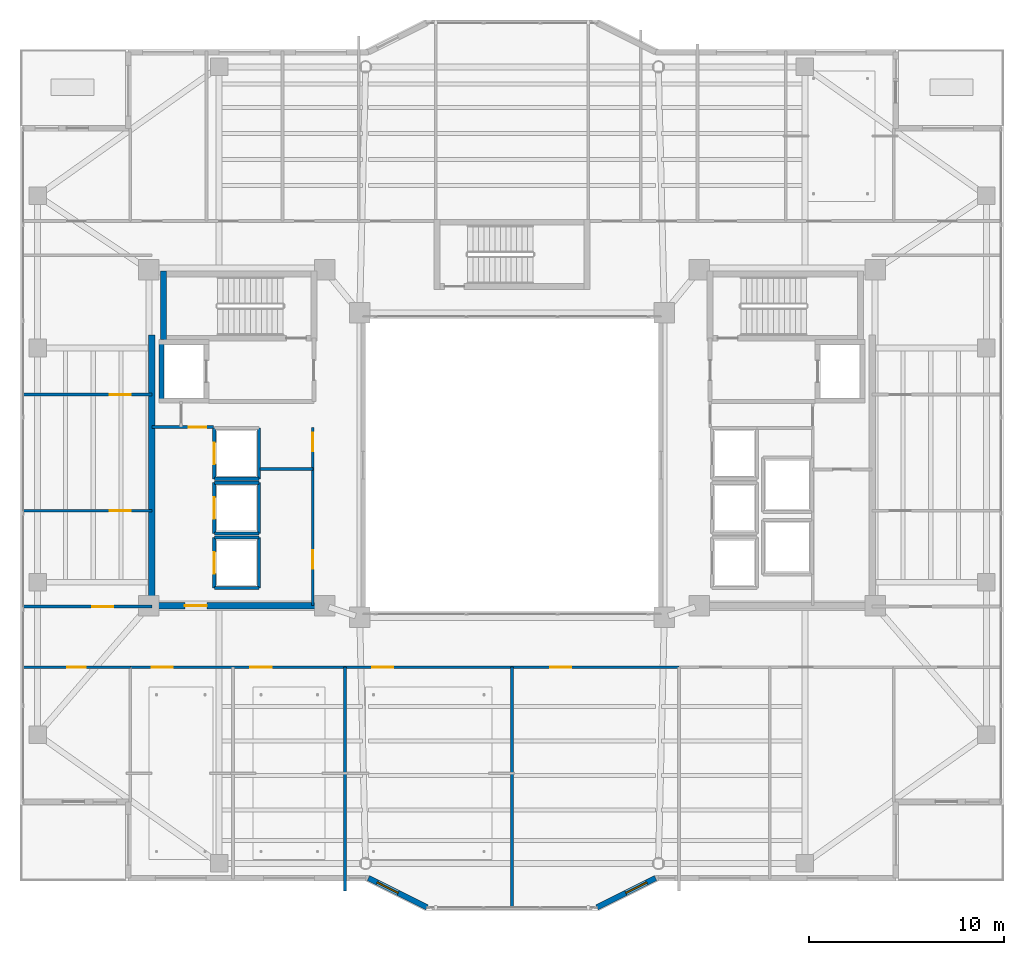
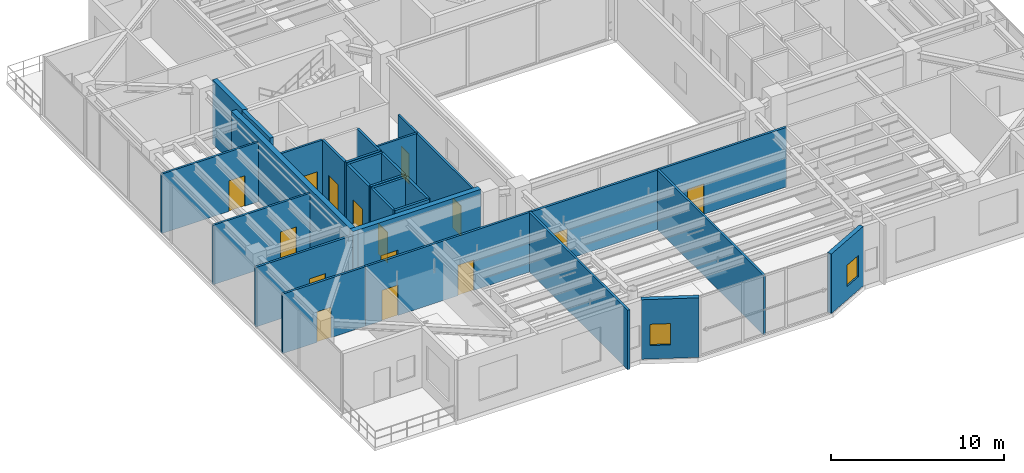
# One storey, part 23 of 33: 28 walls, 15 doors, 2 windows, 17 openings.
"""IFC4 building model written with IfcOpenShell, lengths in metres."""

from ifc_helpers import new_model, si_unit, direction, frame, frame_2d, origin, place, context, subcontext, project, spatial, rectangle, extrude, material, layer, layer_set, type_object, element, fill, save


model = new_model("IFC4")

# Units and contexts
model_context = context("Model", 3, precision=1e-05, world=origin(), true_north=direction((0.0, 1.0)))
body_context = subcontext(model_context, "Body", "Model", "MODEL_VIEW")
ifc_project = project(units=[si_unit("LENGTHUNIT", "METRE"), si_unit("AREAUNIT", "SQUARE_METRE"), si_unit("VOLUMEUNIT", "CUBIC_METRE"), si_unit("PLANEANGLEUNIT", "RADIAN"), si_unit("MASSUNIT", "GRAM", prefix="KILO")], contexts=[model_context])

# Site, building, storey
site_placement = place(None, origin())
site = spatial("IfcSite", under=ifc_project, at=site_placement, CompositionType="ELEMENT")
building_placement = place(site_placement, origin())
building = spatial("IfcBuilding", under=site, at=building_placement, Name="Tarnavaz Court Tower", CompositionType="ELEMENT")
storey_placement = place(building_placement, frame((0.0, 0.0, 177.300048828125)))
storey = spatial("IfcBuildingStorey", under=building, at=storey_placement, Name="L48", CompositionType="ELEMENT", Elevation=177.300048828125)

# Walls
ifc_material_1 = material(Name="Concrete C50/60", Category="concrete")
ifc_layer_1 = layer(ifc_material_1, 0.25)
ifc_layer_set_1 = layer_set([ifc_layer_1], Name="Concrete C50/60")
wall_type_1 = type_object("IfcWallType", Name="WL-CORE-250-C50", PredefinedType="SHEAR", material=ifc_layer_set_1)
wall_1_placement = place(storey_placement, frame((-17.949951171875, 3.175048828125, 0.0), z_axis=(0.0, 0.0, 1.0), x_axis=(0.0, 1.0, 0.0)))
element("IfcWall", 1, at=wall_1_placement, inside=storey, type_object=wall_type_1, Name="L48 Lift FL-W1 Shaft Wall 017", PredefinedType="SHEAR", context=body_context, shape_type="SweptSolid", body=[
    extrude(rectangle(XDim=3.25, YDim=0.25, at=frame_2d((1.625, 0.0))), origin(), (0.0, 0.0, 1.0), 4.5),
])
ifc_layer_2 = layer(ifc_material_1, 0.300048828125)
ifc_layer_set_2 = layer_set([ifc_layer_2], Name="Concrete C50/60")
wall_type_2 = type_object("IfcWallType", Name="WL-CORE-300-C50", PredefinedType="SHEAR", material=ifc_layer_set_2)
wall_2_placement = place(storey_placement, frame((-17.85009765625, 6.35009765625, 0.0), z_axis=(0.0, 0.0, 1.0), x_axis=(0.0, 1.0, 0.0)))
element("IfcWall", 2, at=wall_2_placement, inside=storey, type_object=wall_type_2, Name="L48 West Stair Core Wall 003", PredefinedType="SHEAR", context=body_context, shape_type="SweptSolid", body=[
    extrude(rectangle(XDim=3.58984375, YDim=0.300048828125, at=frame_2d((1.794921875, 0.0))), origin(), (0.0, 0.0, 1.0), 4.5),
])
ifc_layer_3 = layer(ifc_material_1, 0.35009765625)
ifc_layer_set_3 = layer_set([ifc_layer_3], Name="Concrete C50/60")
wall_type_3 = type_object("IfcWallType", Name="WL-CORE-350-C50", PredefinedType="SHEAR", material=ifc_layer_set_3)
wall_3_placement = place(storey_placement, frame((-18.449951171875, -7.375, 0.0), z_axis=(0.0, 0.0, 1.0), x_axis=(0.0, 1.0, 0.0)))
element("IfcWall", 3, at=wall_3_placement, inside=storey, type_object=wall_type_3, Name="L48 West Core Shear Wall 057", PredefinedType="SHEAR", context=body_context, shape_type="SweptSolid", body=[
    extrude(rectangle(XDim=14.050048828125, YDim=0.35009765625, at=frame_2d((7.02490234375, 0.0))), origin(), (0.0, 0.0, 1.0), 4.5),
])

# Wall, opening, door
wall_4_placement = place(storey_placement, frame((-18.625, -7.199951171875, 0.0), z_axis=(0.0, 0.0, 1.0), x_axis=(1.0, 0.0, 0.0)))
wall_4 = element("IfcWall", 4, at=wall_4_placement, inside=storey, type_object=wall_type_3, Name="L48 West Core South Shear Wall 058", PredefinedType="SHEAR", context=body_context, shape_type="SweptSolid", body=[
    extrude(rectangle(XDim=8.550048828125, YDim=0.35009765625, at=frame_2d((4.27490234375, 0.0))), origin(), (0.0, 0.0, 1.0), 4.5),
])
opening_1_placement = place(wall_4_placement, frame((1.875, 0.0, 0.0)))
opening_1 = element("IfcOpeningElement", 5, at=opening_1_placement, cuts=wall_4, Name="Opening D04", PredefinedType="OPENING", context=body_context, shape_type="SweptSolid", body=[
    extrude(rectangle(XDim=1.1201171875, YDim=2.14990234375, at=frame_2d((0.56005859375, 1.074951171875))), frame((0.0, 0.18505859375, 0.0), z_axis=(0.0, -1.0, 0.0), x_axis=(1.0, 0.0, 0.0)), (0.0, 0.0, 1.0), 0.3701171875),
])
ifc_material_2 = material(Name="Fire-Rated Hardwood Timber Core", Category="wood")
door_type_1 = type_object("IfcDoorType", Name="DR-FD60-1100", OperationType="NOTDEFINED", PredefinedType="DOOR", material=ifc_material_2)
door_1_placement = place(opening_1_placement, origin())
door_1 = element("IfcDoor", 6, at=door_1_placement, inside=storey, type_object=door_type_1, Name="L48 West High-Rise Lift Lobby Door", OperationType="SINGLE_SWING_RIGHT", OverallHeight=2.14990234375, OverallWidth=1.1201171875, PredefinedType="DOOR", context=body_context, shape_type="SweptSolid", body=[
    extrude(rectangle(XDim=1.1201171875, YDim=2.14990234375, at=frame_2d((0.56005859375, 1.074951171875))), frame((0.0, 0.02490234375, 0.0), z_axis=(0.0, -1.0, 0.0), x_axis=(1.0, 0.0, 0.0)), (0.0, 0.0, 1.0), 0.050048828125),
])
fill(opening_1, door_1)

# Wall, opening, window
ifc_material_3 = material(Name="Precast Concrete C40/50", Category="concrete")
ifc_layer_4 = layer(ifc_material_3, 0.280029296875)
ifc_layer_set_4 = layer_set([ifc_layer_4], Name="Precast Concrete C40/50")
wall_type_4 = type_object("IfcWallType", Name="WL-EXT-280", PredefinedType="SOLIDWALL", material=ifc_layer_set_4)
wall_5_placement = place(storey_placement, frame((7.35009765625, -21.14990234375, 0.0), z_axis=(0.0, 0.0, 1.0), x_axis=(-0.894427191, -0.4472135955, 0.0)))
wall_5 = element("IfcWall", 7, at=wall_5_placement, inside=storey, type_object=wall_type_4, Name="L48 Exterior Terracotta Facade Wall 16", PredefinedType="SOLIDWALL", context=body_context, shape_type="SweptSolid", body=[
    extrude(rectangle(XDim=3.35400390625, YDim=0.280029296875, at=frame_2d((1.677001953125, 0.0))), origin(), (0.0, 0.0, 1.0), 4.199951171875),
])
opening_2_placement = place(wall_5_placement, frame((0.501220703125, 0.0, 0.949951171875)))
opening_2 = element("IfcOpeningElement", 8, at=opening_2_placement, cuts=wall_5, Name="Opening W05", PredefinedType="OPENING", context=body_context, shape_type="SweptSolid", body=[
    extrude(rectangle(XDim=1.199951171875, YDim=1.5, at=frame_2d((0.60009765625, 0.75))), frame((0.0, 0.14990234375, 0.0), z_axis=(0.0, -1.0, 0.0), x_axis=(1.0, 0.0, 0.0)), (0.0, 0.0, 1.0), 0.300048828125),
])
ifc_material_4 = material(Name="Double-Glazed Solar Low-E Glass", Category="glass")
window_type = type_object("IfcWindowType", Name="WN-APT-1200", PartitioningType="SINGLE_PANEL", PredefinedType="WINDOW", material=ifc_material_4)
window_1_placement = place(opening_2_placement, origin())
window_1 = element("IfcWindow", 9, at=window_1_placement, inside=storey, type_object=window_type, Name="L48 L48 South-East Music and Arts Studio Window", OverallHeight=1.5, OverallWidth=1.199951171875, PartitioningType="SINGLE_PANEL", PredefinedType="WINDOW", context=body_context, shape_type="SweptSolid", body=[
    extrude(rectangle(XDim=1.199951171875, YDim=1.5, at=frame_2d((0.60009765625, 0.75))), frame((0.0, 0.030029296875, 0.0), z_axis=(0.0, -1.0, 0.0), x_axis=(1.0, 0.0, 0.0)), (0.0, 0.0, 1.0), 0.06005859375),
])
fill(opening_2, window_1)

wall_6_placement = place(storey_placement, frame((-4.35009765625, -22.64990234375, 0.0), z_axis=(0.0, 0.0, 1.0), x_axis=(-0.894427191, 0.4472135955, 0.0)))
wall_6 = element("IfcWall", 10, at=wall_6_placement, inside=storey, type_object=wall_type_4, Name="L48 Exterior Terracotta Facade Wall 18", PredefinedType="SOLIDWALL", context=body_context, shape_type="SweptSolid", body=[
    extrude(rectangle(XDim=3.35400390625, YDim=0.280029296875, at=frame_2d((1.677001953125, 0.0))), origin(), (0.0, 0.0, 1.0), 4.199951171875),
])
opening_3_placement = place(wall_6_placement, frame((1.65283203125, 0.0, 0.949951171875)))
opening_3 = element("IfcOpeningElement", 11, at=opening_3_placement, cuts=wall_6, Name="Opening W05", PredefinedType="OPENING", context=body_context, shape_type="SweptSolid", body=[
    extrude(rectangle(XDim=1.199951171875, YDim=1.5, at=frame_2d((0.60009765625, 0.75))), frame((0.0, 0.14990234375, 0.0), z_axis=(0.0, -1.0, 0.0), x_axis=(1.0, 0.0, 0.0)), (0.0, 0.0, 1.0), 0.300048828125),
])
window_2_placement = place(opening_3_placement, origin())
window_2 = element("IfcWindow", 12, at=window_2_placement, inside=storey, type_object=window_type, Name="L48 L48 South-West Cultural Classroom Window", OverallHeight=1.5, OverallWidth=1.199951171875, PartitioningType="SINGLE_PANEL", PredefinedType="WINDOW", context=body_context, shape_type="SweptSolid", body=[
    extrude(rectangle(XDim=1.199951171875, YDim=1.5, at=frame_2d((0.60009765625, 0.75))), frame((0.0, 0.030029296875, 0.0), z_axis=(0.0, -1.0, 0.0), x_axis=(1.0, 0.0, 0.0)), (0.0, 0.0, 1.0), 0.06005859375),
])
fill(opening_3, window_2)

# Wall, openings, doors
ifc_material_5 = material(Name="Gypsum Fire-Board on Acoustic Metal Stud", Category="masonry")
ifc_layer_5 = layer(ifc_material_5, 0.14990234375)
ifc_layer_set_5 = layer_set([ifc_layer_5], Name="Gypsum Fire-Board on Acoustic Metal Stud")
wall_type_5 = type_object("IfcWallType", Name="WL-FIRE-150", PredefinedType="PARTITIONING", material=ifc_layer_set_5)
wall_7_placement = place(storey_placement, frame((-19.550048828125, -10.35009765625, 0.0), z_axis=(0.0, 0.0, 1.0), x_axis=(1.0, 0.0, 0.0)))
wall_7 = element("IfcWall", 13, at=wall_7_placement, inside=storey, type_object=wall_type_5, Name="L48 SW Horseshoe Wall 071", PredefinedType="PARTITIONING", context=body_context, shape_type="SweptSolid", body=[
    extrude(rectangle(XDim=11.0, YDim=0.14990234375, at=frame_2d((5.5, 0.0))), origin(), (0.0, 0.0, 1.0), 4.199951171875),
])
opening_4_placement = place(wall_7_placement, frame((1.10009765625, 0.0, 0.0)))
opening_4 = element("IfcOpeningElement", 14, at=opening_4_placement, cuts=wall_7, Name="Opening D12", PredefinedType="OPENING", context=body_context, shape_type="SweptSolid", body=[
    extrude(rectangle(XDim=1.080078125, YDim=2.14990234375, at=frame_2d((0.5400390625, 1.074951171875))), frame((0.0, 0.0849609375, 0.0), z_axis=(0.0, -1.0, 0.0), x_axis=(1.0, 0.0, 0.0)), (0.0, 0.0, 1.0), 0.169921875),
])
opening_5_placement = place(wall_7_placement, frame((6.156005859375, 0.0, 0.0)))
opening_5 = element("IfcOpeningElement", 15, at=opening_5_placement, cuts=wall_7, Name="Opening D12", PredefinedType="OPENING", context=body_context, shape_type="SweptSolid", body=[
    extrude(rectangle(XDim=1.080078125, YDim=2.14990234375, at=frame_2d((0.5400390625, 1.074951171875))), frame((0.0, 0.0849609375, 0.0), z_axis=(0.0, -1.0, 0.0), x_axis=(1.0, 0.0, 0.0)), (0.0, 0.0, 1.0), 0.169921875),
])
ifc_material_6 = material(Name="Engineered Oak Timber", Category="wood")
door_type_2 = type_object("IfcDoorType", Name="DR-INT-1100", OperationType="NOTDEFINED", PredefinedType="DOOR", material=ifc_material_6)
door_2_placement = place(opening_4_placement, origin())
door_2 = element("IfcDoor", 16, at=door_2_placement, inside=storey, type_object=door_type_2, Name="L48 Children Playroom Studio Door", OperationType="SINGLE_SWING_RIGHT", OverallHeight=2.14990234375, OverallWidth=1.080078125, PredefinedType="DOOR", context=body_context, shape_type="SweptSolid", body=[
    extrude(rectangle(XDim=1.080078125, YDim=2.14990234375, at=frame_2d((0.5400390625, 1.074951171875))), frame((0.0, 0.02490234375, 0.0), z_axis=(0.0, -1.0, 0.0), x_axis=(1.0, 0.0, 0.0)), (0.0, 0.0, 1.0), 0.050048828125),
])
fill(opening_4, door_2)
door_3_placement = place(opening_5_placement, origin())
door_3 = element("IfcDoor", 17, at=door_3_placement, inside=storey, type_object=door_type_2, Name="L48 SW Study Room Door", OperationType="SINGLE_SWING_LEFT", OverallHeight=2.14990234375, OverallWidth=1.080078125, PredefinedType="DOOR", context=body_context, shape_type="SweptSolid", body=[
    extrude(rectangle(XDim=1.080078125, YDim=2.14990234375, at=frame_2d((0.5400390625, 1.074951171875))), frame((0.0, 0.02490234375, 0.0), z_axis=(0.0, -1.0, 0.0), x_axis=(1.0, 0.0, 0.0)), (0.0, 0.0, 1.0), 0.050048828125),
])
fill(opening_5, door_3)

wall_8_placement = place(storey_placement, frame((-8.550048828125, -10.35009765625, 0.0), z_axis=(0.0, 0.0, 1.0), x_axis=(1.0, 0.0, 0.0)))
wall_8 = element("IfcWall", 18, at=wall_8_placement, inside=storey, type_object=wall_type_5, Name="L48 Interior Partition 085", PredefinedType="PARTITIONING", context=body_context, shape_type="SweptSolid", body=[
    extrude(rectangle(XDim=17.10009765625, YDim=0.14990234375, at=frame_2d((8.550048828125, 0.0))), origin(), (0.0, 0.0, 1.0), 4.199951171875),
])
opening_6_placement = place(wall_8_placement, frame((1.39990234375, 0.0, 0.0)))
opening_6 = element("IfcOpeningElement", 19, at=opening_6_placement, cuts=wall_8, Name="Opening D12", PredefinedType="OPENING", context=body_context, shape_type="SweptSolid", body=[
    extrude(rectangle(XDim=1.080078125, YDim=2.14990234375, at=frame_2d((0.5400390625, 1.074951171875))), frame((0.0, 0.0849609375, 0.0), z_axis=(0.0, -1.0, 0.0), x_axis=(1.0, 0.0, 0.0)), (0.0, 0.0, 1.0), 0.169921875),
])
opening_7_placement = place(wall_8_placement, frame((10.5, 0.0, 0.0)))
opening_7 = element("IfcOpeningElement", 20, at=opening_7_placement, cuts=wall_8, Name="Opening D12", PredefinedType="OPENING", context=body_context, shape_type="SweptSolid", body=[
    extrude(rectangle(XDim=1.080078125, YDim=2.14990234375, at=frame_2d((0.5400390625, 1.074951171875))), frame((0.0, 0.0849609375, 0.0), z_axis=(0.0, -1.0, 0.0), x_axis=(1.0, 0.0, 0.0)), (0.0, 0.0, 1.0), 0.169921875),
])
door_4_placement = place(opening_6_placement, origin())
door_4 = element("IfcDoor", 21, at=door_4_placement, inside=storey, type_object=door_type_2, Name="L48 Cultural Classroom Door", OperationType="SINGLE_SWING_RIGHT", OverallHeight=2.14990234375, OverallWidth=1.080078125, PredefinedType="DOOR", context=body_context, shape_type="SweptSolid", body=[
    extrude(rectangle(XDim=1.080078125, YDim=2.14990234375, at=frame_2d((0.5400390625, 1.074951171875))), frame((0.0, 0.02490234375, 0.0), z_axis=(0.0, -1.0, 0.0), x_axis=(1.0, 0.0, 0.0)), (0.0, 0.0, 1.0), 0.050048828125),
])
fill(opening_6, door_4)
door_5_placement = place(opening_7_placement, origin())
door_5 = element("IfcDoor", 22, at=door_5_placement, inside=storey, type_object=door_type_2, Name="L48 Arts Studio Door", OperationType="SINGLE_SWING_LEFT", OverallHeight=2.14990234375, OverallWidth=1.080078125, PredefinedType="DOOR", context=body_context, shape_type="SweptSolid", body=[
    extrude(rectangle(XDim=1.080078125, YDim=2.14990234375, at=frame_2d((0.5400390625, 1.074951171875))), frame((0.0, 0.02490234375, 0.0), z_axis=(0.0, -1.0, 0.0), x_axis=(1.0, 0.0, 0.0)), (0.0, 0.0, 1.0), 0.050048828125),
])
fill(opening_7, door_5)

# Wall, opening, door
wall_9_placement = place(storey_placement, frame((-25.080078125, -7.25, 0.0), z_axis=(0.0, 0.0, 1.0), x_axis=(1.0, 0.0, 0.0)))
wall_9 = element("IfcWall", 23, at=wall_9_placement, inside=storey, type_object=wall_type_5, Name="L48 Interior Partition 087", PredefinedType="PARTITIONING", context=body_context, shape_type="SweptSolid", body=[
    extrude(rectangle(XDim=6.630126953125, YDim=0.14990234375, at=frame_2d((3.31494140625, 0.0))), origin(), (0.0, 0.0, 1.0), 4.199951171875),
])
opening_8_placement = place(wall_9_placement, frame((3.580078125, 0.0, 0.0)))
opening_8 = element("IfcOpeningElement", 24, at=opening_8_placement, cuts=wall_9, Name="Opening D12", PredefinedType="OPENING", context=body_context, shape_type="SweptSolid", body=[
    extrude(rectangle(XDim=1.080078125, YDim=2.14990234375, at=frame_2d((0.5400390625, 1.074951171875))), frame((0.0, 0.0849609375, 0.0), z_axis=(0.0, -1.0, 0.0), x_axis=(1.0, 0.0, 0.0)), (0.0, 0.0, 1.0), 0.169921875),
])
door_6_placement = place(opening_8_placement, origin())
door_6 = element("IfcDoor", 25, at=door_6_placement, inside=storey, type_object=door_type_2, Name="L48 West Suite Room 1 Door", OperationType="SINGLE_SWING_RIGHT", OverallHeight=2.14990234375, OverallWidth=1.080078125, PredefinedType="DOOR", context=body_context, shape_type="SweptSolid", body=[
    extrude(rectangle(XDim=1.080078125, YDim=2.14990234375, at=frame_2d((0.5400390625, 1.074951171875))), frame((0.0, 0.02490234375, 0.0), z_axis=(0.0, -1.0, 0.0), x_axis=(1.0, 0.0, 0.0)), (0.0, 0.0, 1.0), 0.050048828125),
])
fill(opening_8, door_6)

wall_10_placement = place(storey_placement, frame((-25.080078125, -10.35009765625, 0.0), z_axis=(0.0, 0.0, 1.0), x_axis=(1.0, 0.0, 0.0)))
wall_10 = element("IfcWall", 26, at=wall_10_placement, inside=storey, type_object=wall_type_5, Name="L48 Interior Partition 097", PredefinedType="PARTITIONING", context=body_context, shape_type="SweptSolid", body=[
    extrude(rectangle(XDim=5.530029296875, YDim=0.14990234375, at=frame_2d((2.76513671875, 0.0))), origin(), (0.0, 0.0, 1.0), 4.199951171875),
])
opening_9_placement = place(wall_10_placement, frame((2.2900390625, 0.0, 0.0)))
opening_9 = element("IfcOpeningElement", 27, at=opening_9_placement, cuts=wall_10, Name="Opening D13", PredefinedType="OPENING", context=body_context, shape_type="SweptSolid", body=[
    extrude(rectangle(XDim=0.949951171875, YDim=2.14990234375, at=frame_2d((0.47509765625, 1.074951171875))), frame((0.0, 0.0849609375, 0.0), z_axis=(0.0, -1.0, 0.0), x_axis=(1.0, 0.0, 0.0)), (0.0, 0.0, 1.0), 0.169921875),
])
door_type_3 = type_object("IfcDoorType", Name="DR-INT-950", OperationType="NOTDEFINED", PredefinedType="DOOR", material=ifc_material_6)
door_7_placement = place(opening_9_placement, origin())
door_7 = element("IfcDoor", 28, at=door_7_placement, inside=storey, type_object=door_type_3, Name="L48 SW Terrace Salon Door", OperationType="SINGLE_SWING_RIGHT", OverallHeight=2.14990234375, OverallWidth=0.949951171875, PredefinedType="DOOR", context=body_context, shape_type="SweptSolid", body=[
    extrude(rectangle(XDim=0.949951171875, YDim=2.14990234375, at=frame_2d((0.47509765625, 1.074951171875))), frame((0.0, 0.02490234375, 0.0), z_axis=(0.0, -1.0, 0.0), x_axis=(1.0, 0.0, 0.0)), (0.0, 0.0, 1.0), 0.050048828125),
])
fill(opening_9, door_7)

ifc_material_7 = material(Name="Gypsum Plasterboard Acoustic Partition", Category="masonry")
ifc_layer_6 = layer(ifc_material_7, 0.139892578125)
ifc_layer_set_6 = layer_set([ifc_layer_6], Name="Gypsum Plasterboard Acoustic Partition")
wall_type_6 = type_object("IfcWallType", Name="WL-PART-150", PredefinedType="PARTITIONING", material=ifc_layer_set_6)
wall_11_placement = place(storey_placement, frame((-18.449951171875, 1.949951171875, 0.0), z_axis=(0.0, 0.0, 1.0), x_axis=(1.0, 0.0, 0.0)))
wall_11 = element("IfcWall", 29, at=wall_11_placement, inside=storey, type_object=wall_type_6, Name="L48 Interior Partition 061", PredefinedType="PARTITIONING", context=body_context, shape_type="SweptSolid", body=[
    extrude(rectangle(XDim=3.14990234375, YDim=0.139892578125, at=frame_2d((1.574951171875, 0.0))), origin(), (0.0, 0.0, 1.0), 4.199951171875),
])
opening_10_placement = place(wall_11_placement, frame((1.89990234375, 0.0, 0.0)))
opening_10 = element("IfcOpeningElement", 30, at=opening_10_placement, cuts=wall_11, Name="Opening D09", PredefinedType="OPENING", context=body_context, shape_type="SweptSolid", body=[
    extrude(rectangle(XDim=0.89990234375, YDim=2.080078125, at=frame_2d((0.449951171875, 1.0400390625))), frame((0.0, 0.079833984375, 0.0), z_axis=(0.0, -1.0, 0.0), x_axis=(1.0, 0.0, 0.0)), (0.0, 0.0, 1.0), 0.159912109375),
])
door_type_4 = type_object("IfcDoorType", Name="DR-FD30-900", OperationType="NOTDEFINED", PredefinedType="DOOR", material=ifc_material_2)
door_8_placement = place(opening_10_placement, origin())
door_8 = element("IfcDoor", 31, at=door_8_placement, inside=storey, type_object=door_type_4, Name="L48 West Sky Store Door", OperationType="SINGLE_SWING_LEFT", OverallHeight=2.080078125, OverallWidth=0.89990234375, PredefinedType="DOOR", context=body_context, shape_type="SweptSolid", body=[
    extrude(rectangle(XDim=0.89990234375, YDim=2.080078125, at=frame_2d((0.449951171875, 1.0400390625))), frame((0.0, 0.02490234375, 0.0), z_axis=(0.0, -1.0, 0.0), x_axis=(1.0, 0.0, 0.0)), (0.0, 0.0, 1.0), 0.050048828125),
])
fill(opening_10, door_8)

# Wall, openings, doors
wall_12_placement = place(storey_placement, frame((-10.199951171875, -7.199951171875, 0.0), z_axis=(0.0, 0.0, 1.0), x_axis=(0.0, 1.0, 0.0)))
wall_12 = element("IfcWall", 32, at=wall_12_placement, inside=storey, type_object=wall_type_6, Name="L48 West Reclaimed Core Wall 063", PredefinedType="PARTITIONING", context=body_context, shape_type="SweptSolid", body=[
    extrude(rectangle(XDim=9.119873046875, YDim=0.139892578125, at=frame_2d((4.56005859375, 0.0))), origin(), (0.0, 0.0, 1.0), 4.199951171875),
])
opening_11_placement = place(wall_12_placement, frame((1.89990234375, 0.0, 0.0)))
opening_11 = element("IfcOpeningElement", 33, at=opening_11_placement, cuts=wall_12, Name="Opening D08", PredefinedType="OPENING", context=body_context, shape_type="SweptSolid", body=[
    extrude(rectangle(XDim=0.949951171875, YDim=2.1201171875, at=frame_2d((0.47509765625, 1.06005859375))), frame((0.0, 0.079833984375, 0.0), z_axis=(0.0, -1.0, 0.0), x_axis=(1.0, 0.0, 0.0)), (0.0, 0.0, 1.0), 0.159912109375),
])
opening_12_placement = place(wall_12_placement, frame((7.89990234375, 0.0, 0.0)))
opening_12 = element("IfcOpeningElement", 34, at=opening_12_placement, cuts=wall_12, Name="Opening D08", PredefinedType="OPENING", context=body_context, shape_type="SweptSolid", body=[
    extrude(rectangle(XDim=0.949951171875, YDim=2.1201171875, at=frame_2d((0.47509765625, 1.06005859375))), frame((0.0, 0.079833984375, 0.0), z_axis=(0.0, -1.0, 0.0), x_axis=(1.0, 0.0, 0.0)), (0.0, 0.0, 1.0), 0.159912109375),
])
door_type_5 = type_object("IfcDoorType", Name="DR-FD30-950", OperationType="NOTDEFINED", PredefinedType="DOOR", material=ifc_material_2)
door_9_placement = place(opening_11_placement, origin())
door_9 = element("IfcDoor", 35, at=door_9_placement, inside=storey, type_object=door_type_5, Name="L48 West Study Room Door", OperationType="SINGLE_SWING_LEFT", OverallHeight=2.1201171875, OverallWidth=0.949951171875, PredefinedType="DOOR", context=body_context, shape_type="SweptSolid", body=[
    extrude(rectangle(XDim=0.949951171875, YDim=2.1201171875, at=frame_2d((0.47509765625, 1.06005859375))), frame((0.0, 0.02490234375, 0.0), z_axis=(0.0, -1.0, 0.0), x_axis=(1.0, 0.0, 0.0)), (0.0, 0.0, 1.0), 0.050048828125),
])
fill(opening_11, door_9)
door_10_placement = place(opening_12_placement, origin())
door_10 = element("IfcDoor", 36, at=door_10_placement, inside=storey, type_object=door_type_5, Name="L48 West Laundry Room Door", OperationType="SINGLE_SWING_RIGHT", OverallHeight=2.1201171875, OverallWidth=0.949951171875, PredefinedType="DOOR", context=body_context, shape_type="SweptSolid", body=[
    extrude(rectangle(XDim=0.949951171875, YDim=2.1201171875, at=frame_2d((0.47509765625, 1.06005859375))), frame((0.0, 0.02490234375, 0.0), z_axis=(0.0, -1.0, 0.0), x_axis=(1.0, 0.0, 0.0)), (0.0, 0.0, 1.0), 0.050048828125),
])
fill(opening_12, door_10)

# Walls
wall_13_placement = place(storey_placement, frame((-12.89990234375, -0.199951171875, 0.0), z_axis=(0.0, 0.0, 1.0), x_axis=(1.0, 0.0, 0.0)))
element("IfcWall", 37, at=wall_13_placement, inside=storey, type_object=wall_type_6, Name="L48 Interior Partition 064", PredefinedType="PARTITIONING", context=body_context, shape_type="SweptSolid", body=[
    extrude(rectangle(XDim=2.699951171875, YDim=0.139892578125, at=frame_2d((1.35009765625, 0.0))), origin(), (0.0, 0.0, 1.0), 4.199951171875),
])
wall_14_placement = place(storey_placement, frame((-8.550048828125, -21.803955078125, 0.0), z_axis=(0.0, 0.0, 1.0), x_axis=(0.0, 1.0, 0.0)))
element("IfcWall", 38, at=wall_14_placement, inside=storey, type_object=wall_type_6, Name="L48 Interior Partition 082", PredefinedType="PARTITIONING", context=body_context, shape_type="SweptSolid", body=[
    extrude(rectangle(XDim=11.453857421875, YDim=0.139892578125, at=frame_2d((5.72705078125, 0.0))), origin(), (0.0, 0.0, 1.0), 4.199951171875),
])
wall_15_placement = place(storey_placement, frame((0.0, -22.679931640625, 0.0), z_axis=(0.0, 0.0, 1.0), x_axis=(0.0, 1.0, 0.0)))
element("IfcWall", 39, at=wall_15_placement, inside=storey, type_object=wall_type_6, Name="L48 Interior Partition 086", PredefinedType="PARTITIONING", context=body_context, shape_type="SweptSolid", body=[
    extrude(rectangle(XDim=12.329833984375, YDim=0.139892578125, at=frame_2d((6.1650390625, 0.0))), origin(), (0.0, 0.0, 1.0), 4.199951171875),
])

# Wall, opening, door
wall_16_placement = place(storey_placement, frame((-25.080078125, -2.340087890625, 0.0), z_axis=(0.0, 0.0, 1.0), x_axis=(1.0, 0.0, 0.0)))
wall_16 = element("IfcWall", 40, at=wall_16_placement, inside=storey, type_object=wall_type_6, Name="L48 Interior Partition 099", PredefinedType="PARTITIONING", context=body_context, shape_type="SweptSolid", body=[
    extrude(rectangle(XDim=6.630126953125, YDim=0.139892578125, at=frame_2d((3.31494140625, 0.0))), origin(), (0.0, 0.0, 1.0), 4.199951171875),
])
opening_13_placement = place(wall_16_placement, frame((4.47998046875, 0.0, 0.0)))
opening_13 = element("IfcOpeningElement", 41, at=opening_13_placement, cuts=wall_16, Name="Opening D12", PredefinedType="OPENING", context=body_context, shape_type="SweptSolid", body=[
    extrude(rectangle(XDim=1.080078125, YDim=2.14990234375, at=frame_2d((0.5400390625, 1.074951171875))), frame((0.0, 0.079833984375, 0.0), z_axis=(0.0, -1.0, 0.0), x_axis=(1.0, 0.0, 0.0)), (0.0, 0.0, 1.0), 0.159912109375),
])
door_11_placement = place(opening_13_placement, origin())
door_11 = element("IfcDoor", 42, at=door_11_placement, inside=storey, type_object=door_type_2, Name="L48 West Suite Room 2 Door", OperationType="SINGLE_SWING_LEFT", OverallHeight=2.14990234375, OverallWidth=1.080078125, PredefinedType="DOOR", context=body_context, shape_type="SweptSolid", body=[
    extrude(rectangle(XDim=1.080078125, YDim=2.14990234375, at=frame_2d((0.5400390625, 1.074951171875))), frame((0.0, 0.02490234375, 0.0), z_axis=(0.0, -1.0, 0.0), x_axis=(1.0, 0.0, 0.0)), (0.0, 0.0, 1.0), 0.050048828125),
])
fill(opening_13, door_11)

wall_17_placement = place(storey_placement, frame((-25.080078125, 3.613037109375, 0.0), z_axis=(0.0, 0.0, 1.0), x_axis=(1.0, 0.0, 0.0)))
wall_17 = element("IfcWall", 43, at=wall_17_placement, inside=storey, type_object=wall_type_6, Name="L48 Interior Partition 100", PredefinedType="PARTITIONING", context=body_context, shape_type="SweptSolid", body=[
    extrude(rectangle(XDim=6.630126953125, YDim=0.139892578125, at=frame_2d((3.31494140625, 0.0))), origin(), (0.0, 0.0, 1.0), 4.199951171875),
])
opening_14_placement = place(wall_17_placement, frame((4.47998046875, 0.0, 0.0)))
opening_14 = element("IfcOpeningElement", 44, at=opening_14_placement, cuts=wall_17, Name="Opening D12", PredefinedType="OPENING", context=body_context, shape_type="SweptSolid", body=[
    extrude(rectangle(XDim=1.080078125, YDim=2.14990234375, at=frame_2d((0.5400390625, 1.074951171875))), frame((0.0, 0.079833984375, 0.0), z_axis=(0.0, -1.0, 0.0), x_axis=(1.0, 0.0, 0.0)), (0.0, 0.0, 1.0), 0.159912109375),
])
door_12_placement = place(opening_14_placement, origin())
door_12 = element("IfcDoor", 45, at=door_12_placement, inside=storey, type_object=door_type_2, Name="L48 West Suite Room 3 Door", OperationType="SINGLE_SWING_RIGHT", OverallHeight=2.14990234375, OverallWidth=1.080078125, PredefinedType="DOOR", context=body_context, shape_type="SweptSolid", body=[
    extrude(rectangle(XDim=1.080078125, YDim=2.14990234375, at=frame_2d((0.5400390625, 1.074951171875))), frame((0.0, 0.02490234375, 0.0), z_axis=(0.0, -1.0, 0.0), x_axis=(1.0, 0.0, 0.0)), (0.0, 0.0, 1.0), 0.050048828125),
])
fill(opening_14, door_12)

ifc_material_8 = material(Name="Autoclaved Aerated Concrete Blockwork", Category="masonry")
ifc_layer_7 = layer(ifc_material_8, 0.159912109375)
ifc_layer_set_7 = layer_set([ifc_layer_7], Name="Autoclaved Aerated Concrete Blockwork")
wall_type_7 = type_object("IfcWallType", Name="WL-SHAFT-150", PredefinedType="SOLIDWALL", material=ifc_layer_set_7)
wall_18_placement = place(storey_placement, frame((-15.25, -6.300048828125, 0.0), z_axis=(0.0, 0.0, 1.0), x_axis=(0.0, 1.0, 0.0)))
wall_18 = element("IfcWall", 46, at=wall_18_placement, inside=storey, type_object=wall_type_7, Name="L48 Lift PL-H1 Shaft Wall 021", PredefinedType="SOLIDWALL", context=body_context, shape_type="SweptSolid", body=[
    extrude(rectangle(XDim=2.60009765625, YDim=0.159912109375, at=frame_2d((1.300048828125, 0.0))), origin(), (0.0, 0.0, 1.0), 4.199951171875),
])
opening_15_placement = place(wall_18_placement, frame((0.75, 0.0, 0.0)))
opening_15 = element("IfcOpeningElement", 47, at=opening_15_placement, cuts=wall_18, Name="Opening LD1", PredefinedType="OPENING", context=body_context, shape_type="SweptSolid", body=[
    extrude(rectangle(XDim=1.10009765625, YDim=2.14990234375, at=frame_2d((0.550048828125, 1.074951171875))), frame((0.0, 0.08984375, 0.0), z_axis=(0.0, -1.0, 0.0), x_axis=(1.0, 0.0, 0.0)), (0.0, 0.0, 1.0), 0.179931640625),
])
ifc_material_9 = material(Name="Stainless Steel", Category="steel")
door_type_6 = type_object("IfcDoorType", Name="DR-LD-1100", OperationType="NOTDEFINED", PredefinedType="DOOR", material=ifc_material_9)
door_13_placement = place(opening_15_placement, origin())
door_13 = element("IfcDoor", 48, at=door_13_placement, inside=storey, type_object=door_type_6, Name="L48 Lift Landing Door LD-PL-H1", OperationType="SLIDING_TO_LEFT", OverallHeight=2.14990234375, OverallWidth=1.10009765625, PredefinedType="DOOR", context=body_context, shape_type="SweptSolid", body=[
    extrude(rectangle(XDim=1.10009765625, YDim=2.14990234375, at=frame_2d((0.550048828125, 1.074951171875))), frame((0.0, 0.02490234375, 0.0), z_axis=(0.0, -1.0, 0.0), x_axis=(1.0, 0.0, 0.0)), (0.0, 0.0, 1.0), 0.050048828125),
])
fill(opening_15, door_13)

# Walls
wall_19_placement = place(storey_placement, frame((-12.949951171875, -6.300048828125, 0.0), z_axis=(0.0, 0.0, 1.0), x_axis=(0.0, 1.0, 0.0)))
element("IfcWall", 49, at=wall_19_placement, inside=storey, type_object=wall_type_7, Name="L48 Lift PL-H1 Shaft Wall 022", PredefinedType="SOLIDWALL", context=body_context, shape_type="SweptSolid", body=[
    extrude(rectangle(XDim=2.60009765625, YDim=0.159912109375, at=frame_2d((1.300048828125, 0.0))), origin(), (0.0, 0.0, 1.0), 4.199951171875),
])
for number, where, z_axis, x_axis, name in (
    (50, (-15.25, -6.300048828125, 0.0), (0.0, 0.0, 1.0), (1.0, 0.0, 0.0), "L48 Lift PL-H1 Shaft Wall 023"),
    (51, (-15.25, -3.699951171875, 0.0), (0.0, 0.0, 1.0), (1.0, 0.0, 0.0), "L48 Lift PL-H1 Shaft Wall 024"),
):
    element("IfcWall", number, at=place(storey_placement, frame(where, z_axis=z_axis, x_axis=x_axis)), inside=storey, type_object=wall_type_7, Name=name, PredefinedType="SOLIDWALL", context=body_context, shape_type="SweptSolid", body=[
        extrude(rectangle(XDim=2.300048828125, YDim=0.159912109375, at=frame_2d((1.14990234375, 0.0))), origin(), (0.0, 0.0, 1.0), 4.199951171875),
    ])

# Wall, opening, door
wall_20_placement = place(storey_placement, frame((-15.25, -3.5, 0.0), z_axis=(0.0, 0.0, 1.0), x_axis=(0.0, 1.0, 0.0)))
wall_20 = element("IfcWall", 52, at=wall_20_placement, inside=storey, type_object=wall_type_7, Name="L48 Lift PL-H2 Shaft Wall 025", PredefinedType="SOLIDWALL", context=body_context, shape_type="SweptSolid", body=[
    extrude(rectangle(XDim=2.60009765625, YDim=0.159912109375, at=frame_2d((1.300048828125, 0.0))), origin(), (0.0, 0.0, 1.0), 4.199951171875),
])
opening_16_placement = place(wall_20_placement, frame((0.75, 0.0, 0.0)))
opening_16 = element("IfcOpeningElement", 53, at=opening_16_placement, cuts=wall_20, Name="Opening LD1", PredefinedType="OPENING", context=body_context, shape_type="SweptSolid", body=[
    extrude(rectangle(XDim=1.10009765625, YDim=2.14990234375, at=frame_2d((0.550048828125, 1.074951171875))), frame((0.0, 0.08984375, 0.0), z_axis=(0.0, -1.0, 0.0), x_axis=(1.0, 0.0, 0.0)), (0.0, 0.0, 1.0), 0.179931640625),
])
door_14_placement = place(opening_16_placement, origin())
door_14 = element("IfcDoor", 54, at=door_14_placement, inside=storey, type_object=door_type_6, Name="L48 Lift Landing Door LD-PL-H2", OperationType="SLIDING_TO_LEFT", OverallHeight=2.14990234375, OverallWidth=1.10009765625, PredefinedType="DOOR", context=body_context, shape_type="SweptSolid", body=[
    extrude(rectangle(XDim=1.10009765625, YDim=2.14990234375, at=frame_2d((0.550048828125, 1.074951171875))), frame((0.0, 0.02490234375, 0.0), z_axis=(0.0, -1.0, 0.0), x_axis=(1.0, 0.0, 0.0)), (0.0, 0.0, 1.0), 0.050048828125),
])
fill(opening_16, door_14)

# Walls
wall_21_placement = place(storey_placement, frame((-12.949951171875, -3.5, 0.0), z_axis=(0.0, 0.0, 1.0), x_axis=(0.0, 1.0, 0.0)))
element("IfcWall", 55, at=wall_21_placement, inside=storey, type_object=wall_type_7, Name="L48 Lift PL-H2 Shaft Wall 026", PredefinedType="SOLIDWALL", context=body_context, shape_type="SweptSolid", body=[
    extrude(rectangle(XDim=2.60009765625, YDim=0.159912109375, at=frame_2d((1.300048828125, 0.0))), origin(), (0.0, 0.0, 1.0), 4.199951171875),
])
for number, where, z_axis, x_axis, name in (
    (56, (-15.25, -3.5, 0.0), (0.0, 0.0, 1.0), (1.0, 0.0, 0.0), "L48 Lift PL-H2 Shaft Wall 027"),
    (57, (-15.25, -0.89990234375, 0.0), (0.0, 0.0, 1.0), (1.0, 0.0, 0.0), "L48 Lift PL-H2 Shaft Wall 028"),
):
    element("IfcWall", number, at=place(storey_placement, frame(where, z_axis=z_axis, x_axis=x_axis)), inside=storey, type_object=wall_type_7, Name=name, PredefinedType="SOLIDWALL", context=body_context, shape_type="SweptSolid", body=[
        extrude(rectangle(XDim=2.300048828125, YDim=0.159912109375, at=frame_2d((1.14990234375, 0.0))), origin(), (0.0, 0.0, 1.0), 4.199951171875),
    ])

# Wall, opening, door
wall_22_placement = place(storey_placement, frame((-15.25, -0.699951171875, 0.0), z_axis=(0.0, 0.0, 1.0), x_axis=(0.0, 1.0, 0.0)))
wall_22 = element("IfcWall", 58, at=wall_22_placement, inside=storey, type_object=wall_type_7, Name="L48 Lift PL-H3 Shaft Wall 029", PredefinedType="SOLIDWALL", context=body_context, shape_type="SweptSolid", body=[
    extrude(rectangle(XDim=2.599853515625, YDim=0.159912109375, at=frame_2d((1.2998046875, 0.0))), origin(), (0.0, 0.0, 1.0), 4.199951171875),
])
opening_17_placement = place(wall_22_placement, frame((0.75, 0.0, 0.0)))
opening_17 = element("IfcOpeningElement", 59, at=opening_17_placement, cuts=wall_22, Name="Opening LD1", PredefinedType="OPENING", context=body_context, shape_type="SweptSolid", body=[
    extrude(rectangle(XDim=1.10009765625, YDim=2.14990234375, at=frame_2d((0.550048828125, 1.074951171875))), frame((0.0, 0.08984375, 0.0), z_axis=(0.0, -1.0, 0.0), x_axis=(1.0, 0.0, 0.0)), (0.0, 0.0, 1.0), 0.179931640625),
])
door_15_placement = place(opening_17_placement, origin())
door_15 = element("IfcDoor", 60, at=door_15_placement, inside=storey, type_object=door_type_6, Name="L48 Lift Landing Door LD-PL-H3", OperationType="SLIDING_TO_LEFT", OverallHeight=2.14990234375, OverallWidth=1.10009765625, PredefinedType="DOOR", context=body_context, shape_type="SweptSolid", body=[
    extrude(rectangle(XDim=1.10009765625, YDim=2.14990234375, at=frame_2d((0.550048828125, 1.074951171875))), frame((0.0, 0.02490234375, 0.0), z_axis=(0.0, -1.0, 0.0), x_axis=(1.0, 0.0, 0.0)), (0.0, 0.0, 1.0), 0.050048828125),
])
fill(opening_17, door_15)

# Walls
wall_23_placement = place(storey_placement, frame((-12.949951171875, -0.699951171875, 0.0), z_axis=(0.0, 0.0, 1.0), x_axis=(0.0, 1.0, 0.0)))
element("IfcWall", 61, at=wall_23_placement, inside=storey, type_object=wall_type_7, Name="L48 Lift PL-H3 Shaft Wall 030", PredefinedType="SOLIDWALL", context=body_context, shape_type="SweptSolid", body=[
    extrude(rectangle(XDim=2.599853515625, YDim=0.159912109375, at=frame_2d((1.2998046875, 0.0))), origin(), (0.0, 0.0, 1.0), 4.199951171875),
])
wall_24_placement = place(storey_placement, frame((-15.25, -0.699951171875, 0.0), z_axis=(0.0, 0.0, 1.0), x_axis=(1.0, 0.0, 0.0)))
element("IfcWall", 62, at=wall_24_placement, inside=storey, type_object=wall_type_7, Name="L48 Lift PL-H3 Shaft Wall 031", PredefinedType="SOLIDWALL", context=body_context, shape_type="SweptSolid", body=[
    extrude(rectangle(XDim=2.300048828125, YDim=0.159912109375, at=frame_2d((1.14990234375, 0.0))), origin(), (0.0, 0.0, 1.0), 4.199951171875),
])

save(model, "model.ifc")
